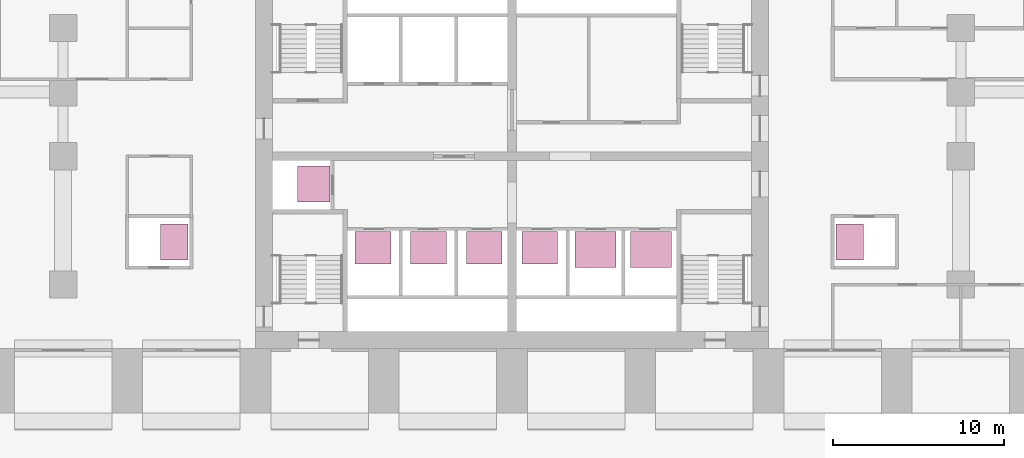
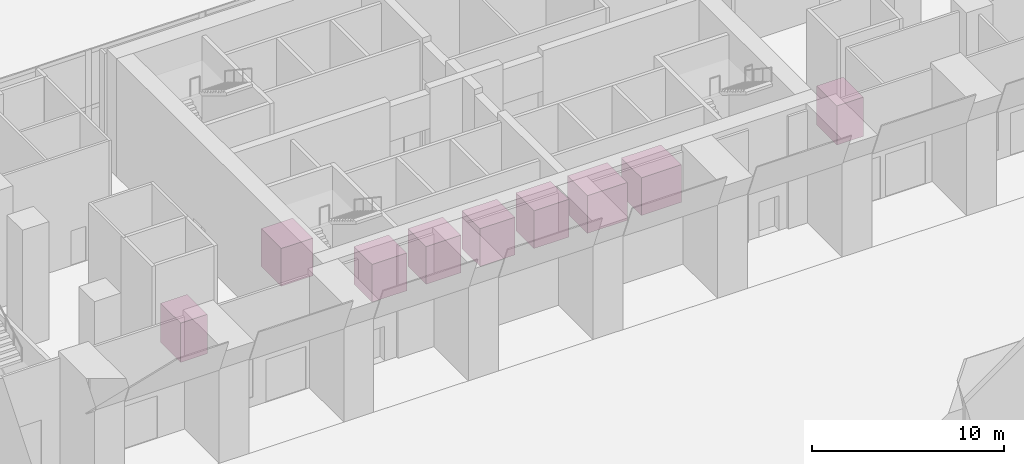
# One storey, part 21 of 21: 9 transport elements.
"""IFC4 building model written with IfcOpenShell, lengths in metres."""

from ifc_helpers import new_model, si_unit, direction, frame, origin, origin_2d, place, context, subcontext, project, spatial, rectangle, extrude, material, type_object, element, save


model = new_model("IFC4")

# Units and contexts
model_context = context("Model", 3, precision=1e-05, world=origin(), true_north=direction((0.0, 1.0)))
body_context = subcontext(model_context, "Body", "Model", "MODEL_VIEW")
ifc_project = project(units=[si_unit("LENGTHUNIT", "METRE"), si_unit("AREAUNIT", "SQUARE_METRE"), si_unit("VOLUMEUNIT", "CUBIC_METRE"), si_unit("PLANEANGLEUNIT", "RADIAN"), si_unit("MASSUNIT", "GRAM", prefix="KILO")], contexts=[model_context])

# Site, building, storey
site_placement = place(None, origin())
site = spatial("IfcSite", under=ifc_project, at=site_placement, CompositionType="ELEMENT")
building_placement = place(site_placement, origin())
building = spatial("IfcBuilding", under=site, at=building_placement, Name="Pilkhan Gate Tower", CompositionType="ELEMENT")
storey_placement = place(building_placement, origin())
storey = spatial("IfcBuildingStorey", under=building, at=storey_placement, Name="L00", CompositionType="ELEMENT", Elevation=0.0)

# Transport elements
ifc_material = material(Name="Steel lift car, stainless steel lining", Category="steel")
transport_element_type_1 = type_object("IfcTransportElementType", Name="Low-rise passenger lift PL1", PredefinedType="ELEVATOR", material=ifc_material)
for number, where, z_axis, x_axis, name in (
    (1, (66.875, 77.14990234375, 0.0), (0.0, 0.0, 1.0), (1.0, 0.0, 0.0), "Passenger lift LR1"),
    (2, (70.125, 77.14990234375, 0.0), (0.0, 0.0, 1.0), (1.0, 0.0, 0.0), "Passenger lift LR2"),
    (3, (73.375, 77.14990234375, 0.0), (0.0, 0.0, 1.0), (1.0, 0.0, 0.0), "Passenger lift LR3"),
    (4, (76.625, 77.14990234375, 0.0), (0.0, 0.0, 1.0), (1.0, 0.0, 0.0), "Passenger lift LR4"),
):
    element("IfcTransportElement", number, at=place(storey_placement, frame(where, z_axis=z_axis, x_axis=x_axis)), inside=storey, type_object=transport_element_type_1, Name=name, PredefinedType="ELEVATOR", context=body_context, shape_type="SweptSolid", body=[
        extrude(rectangle(XDim=2.10009765625, YDim=1.89990234375, at=origin_2d()), origin(), (0.0, 0.0, 1.0), 2.39990234375),
    ])
transport_element_type_2 = type_object("IfcTransportElementType", Name="Observation lift OB1", PredefinedType="ELEVATOR", material=ifc_material)
transport_element_placement = place(storey_placement, frame((63.39990234375, 80.875, 0.0), z_axis=(0.0, 0.0, 1.0), x_axis=(1.0, 0.0, 0.0)))
element("IfcTransportElement", 5, at=transport_element_placement, inside=storey, type_object=transport_element_type_2, Name="Observation lift OB1", PredefinedType="ELEVATOR", context=body_context, shape_type="SweptSolid", body=[
    extrude(rectangle(XDim=1.89990234375, YDim=2.10009765625, at=origin_2d()), origin(), (0.0, 0.0, 1.0), 2.39990234375),
])
transport_element_type_3 = type_object("IfcTransportElementType", Name="Podium passenger lift PL3", PredefinedType="ELEVATOR", material=ifc_material)
for number, where, z_axis, x_axis, name in (
    (6, (55.25, 77.5, 0.0), (0.0, 0.0, 1.0), (1.0, 0.0, 0.0), "Passenger lift P1"),
    (7, (94.75, 77.5, 0.0), (0.0, 0.0, 1.0), (1.0, 0.0, 0.0), "Passenger lift P2"),
):
    element("IfcTransportElement", number, at=place(storey_placement, frame(where, z_axis=z_axis, x_axis=x_axis)), inside=storey, type_object=transport_element_type_3, Name=name, PredefinedType="ELEVATOR", context=body_context, shape_type="SweptSolid", body=[
        extrude(rectangle(XDim=1.60009765625, YDim=2.10009765625, at=origin_2d()), origin(), (0.0, 0.0, 1.0), 2.5),
    ])
transport_element_type_4 = type_object("IfcTransportElementType", Name="Shuttle lift SL1", PredefinedType="ELEVATOR", material=ifc_material)
for number, where, z_axis, x_axis, name in (
    (8, (79.875, 77.050048828125, 0.0), (0.0, 0.0, 1.0), (1.0, 0.0, 0.0), "Shuttle lift SH1"),
    (9, (83.125, 77.050048828125, 0.0), (0.0, 0.0, 1.0), (1.0, 0.0, 0.0), "Shuttle lift SH2"),
):
    element("IfcTransportElement", number, at=place(storey_placement, frame(where, z_axis=z_axis, x_axis=x_axis)), inside=storey, type_object=transport_element_type_4, Name=name, PredefinedType="ELEVATOR", context=body_context, shape_type="SweptSolid", body=[
        extrude(rectangle(XDim=2.39990234375, YDim=2.10009765625, at=origin_2d()), origin(), (0.0, 0.0, 1.0), 2.39990234375),
    ])

save(model, "model.ifc")
